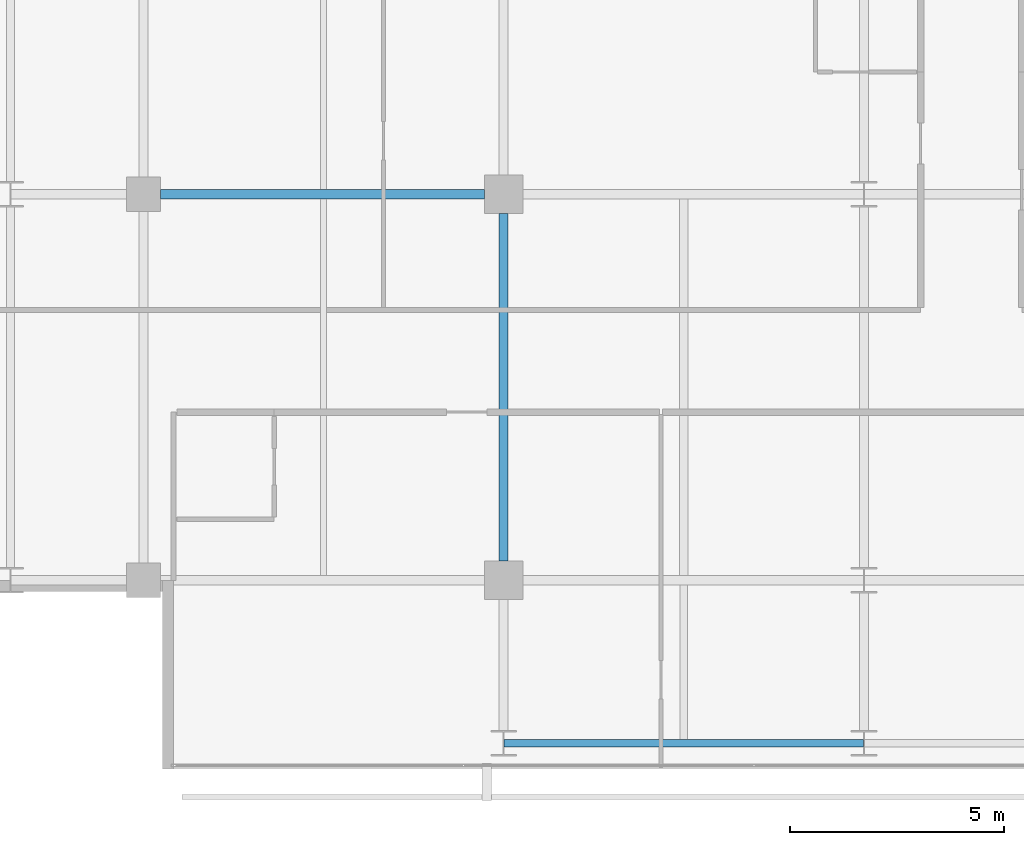
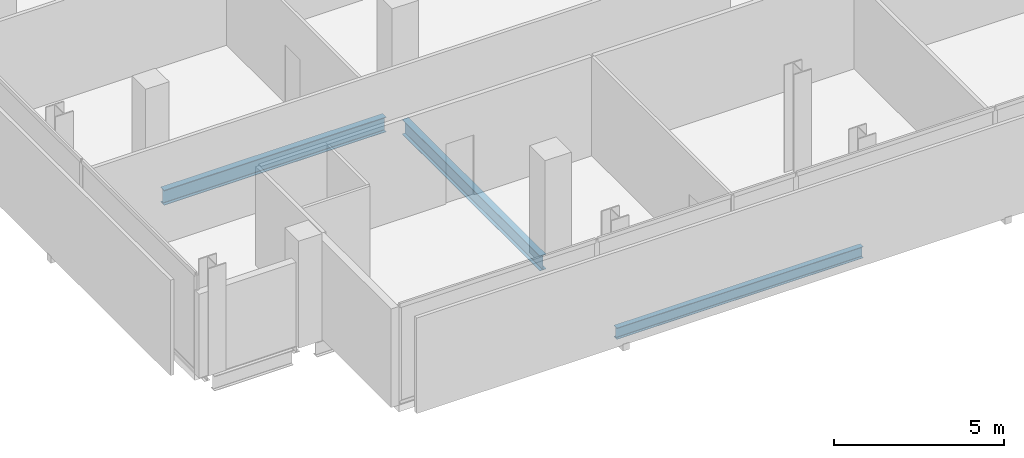
# One storey, part 5 of 32: 3 beams.
"""IFC4 building model written with IfcOpenShell, lengths in metres."""

from ifc_helpers import new_model, si_unit, direction, frame, origin, origin_2d, place, context, subcontext, project, spatial, i_section, extrude, material, material_profile, profile_set, type_object, element, save


model = new_model("IFC4")

# Units and contexts
model_context = context("Model", 3, precision=1e-05, world=origin(), true_north=direction((0.0, 1.0)))
body_context = subcontext(model_context, "Body", "Model", "MODEL_VIEW")
ifc_project = project(units=[si_unit("LENGTHUNIT", "METRE"), si_unit("AREAUNIT", "SQUARE_METRE"), si_unit("VOLUMEUNIT", "CUBIC_METRE"), si_unit("PLANEANGLEUNIT", "RADIAN"), si_unit("MASSUNIT", "GRAM", prefix="KILO")], contexts=[model_context])

# Site, building, storey
site_placement = place(None, origin())
site = spatial("IfcSite", under=ifc_project, at=site_placement, CompositionType="ELEMENT")
building_placement = place(site_placement, origin())
building = spatial("IfcBuilding", under=site, at=building_placement, Name="Maruvema Waterfront Hotel and Observation Tower", CompositionType="ELEMENT")
storey_placement = place(building_placement, frame((0.0, 0.0, 223.64990234375)))
storey = spatial("IfcBuildingStorey", under=building, at=storey_placement, Name="L55", CompositionType="ELEMENT", Elevation=223.64990234375)

# Beams
ifc_material_1 = material(Name="Steel ASTM A572 Grade 50", Category="steel")
ifc_material_profile_1 = material_profile(ifc_material_1, i_section(OverallWidth=0.178955078125, OverallDepth=0.409912109375, WebThickness=0.0087890625, FlangeThickness=0.014404296875, FilletRadius=0.014892578125, at=origin_2d()), Name="W410x67.0")
ifc_profile_set_1 = profile_set([ifc_material_profile_1], Name="Steel ASTM A572 Grade 50")
beam_type_1 = type_object("IfcBeamType", Name="Perimeter Spandrel Beam W410x67.0", PredefinedType="SPANDREL", material=ifc_profile_set_1)
beam_1_placement = place(storey_placement, frame((25.21240234375, 5.199951171875, -0.44482421875), z_axis=(1.0, 0.0, 0.0), x_axis=(0.0, 1.0, 0.0)))
element("IfcBeam", 1, at=beam_1_placement, inside=storey, type_object=beam_type_1, Name="L55 Floor Girder EW-01", PredefinedType="SPANDREL", context=body_context, shape_type="SweptSolid", body=[
    extrude(i_section(OverallWidth=0.178955078125, OverallDepth=0.409912109375, WebThickness=0.0087890625, FlangeThickness=0.014404296875, FilletRadius=0.014892578125, at=origin_2d()), origin(), (0.0, 0.0, 1.0), 8.375),
])
ifc_material_2 = material(Name="Steel ASTM A572 Grade 50", Category="steel")
ifc_material_profile_2 = material_profile(ifc_material_2, i_section(OverallWidth=0.2109375, OverallDepth=0.5390625, WebThickness=0.01171875, FlangeThickness=0.018798828125, FilletRadius=0.014892578125, at=origin_2d()), Name="W530x109.0")
ifc_profile_set_2 = profile_set([ifc_material_profile_2], Name="Steel ASTM A572 Grade 50")
beam_type_2 = type_object("IfcBeamType", Name="Primary Floor Girder W530x109.0", PredefinedType="BEAM", material=ifc_profile_set_2)
beam_2_placement = place(storey_placement, frame((17.199951171875, 18.0, -0.509521484375), z_axis=(1.0, 0.0, 0.0), x_axis=(0.0, 1.0, 0.0)))
element("IfcBeam", 2, at=beam_2_placement, inside=storey, type_object=beam_type_2, Name="L55 Floor Girder EW-12", PredefinedType="BEAM", context=body_context, shape_type="SweptSolid", body=[
    extrude(i_section(OverallWidth=0.2109375, OverallDepth=0.5390625, WebThickness=0.01171875, FlangeThickness=0.018798828125, FilletRadius=0.014892578125, at=origin_2d()), origin(), (0.0, 0.0, 1.0), 7.550048828125),
])
beam_3_placement = place(storey_placement, frame((25.199951171875, 9.449951171875, -0.509521484375), z_axis=(0.0, 1.0, 0.0), x_axis=(-1.0, 0.0, 0.0)))
element("IfcBeam", 3, at=beam_3_placement, inside=storey, type_object=beam_type_2, Name="L55 Floor Girder NS-10", PredefinedType="BEAM", context=body_context, shape_type="SweptSolid", body=[
    extrude(i_section(OverallWidth=0.2109375, OverallDepth=0.5390625, WebThickness=0.01171875, FlangeThickness=0.018798828125, FilletRadius=0.014892578125, at=origin_2d()), origin(), (0.0, 0.0, 1.0), 8.10009765625),
])

save(model, "model.ifc")
